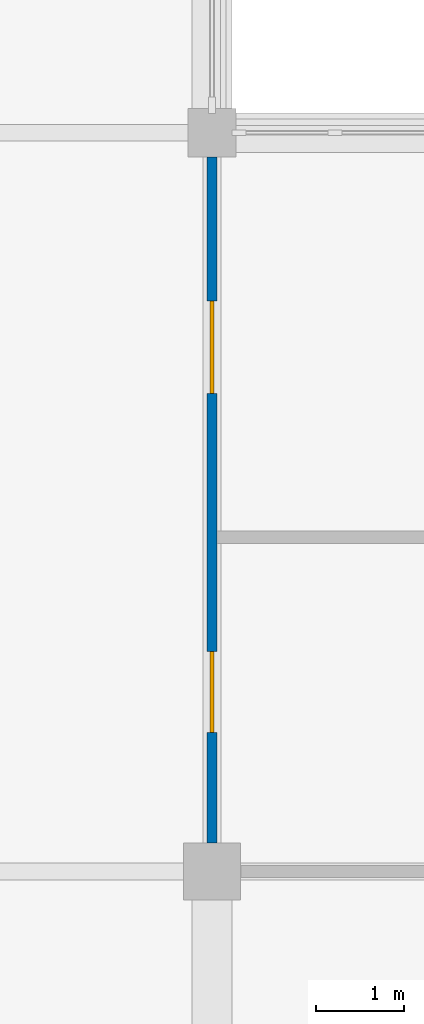
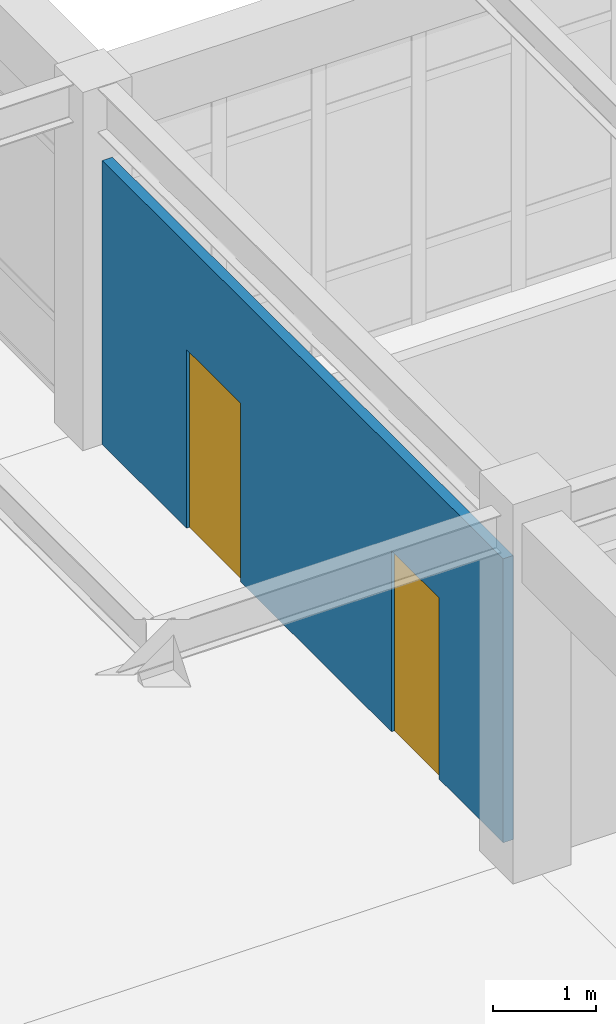
# One storey, part 64 of 78: 2 doors, 1 wall, 2 openings.
"""IFC4 building model written with IfcOpenShell, lengths in metres."""

import ifcopenshell
import ifcopenshell.guid

model = None  # the IFC model being written
_history = None  # IfcOwnerHistory: only IFC2X3 demands one
_inside = {}  # id of a spatial element -> (the spatial element, [elements in it])
_under = {}  # id of a project, library or spatial element -> (it, [spatial elements below it])
_declared = {}  # id of a project -> (the project, [libraries it declares])
_typed = {}  # id of a type object -> (the type object, [elements of that type])
_made_of = {}  # id of a material, layer set ... -> (it, [elements and type objects made of it])


def new_model(schema):
    """Start an empty IFC model of exactly this schema.

    Asked for "IFC4X3", IfcOpenShell would pick the latest addendum, in which some entities
    have other attributes; the version numbers below select the first issue.
    IFC2X3 requires an IfcOwnerHistory on every rooted entity: one is made here for all.
    """
    global model, _history
    if schema == "IFC4X3":
        model = ifcopenshell.file(schema_version=(4, 3, 0, 0))
    else:
        model = ifcopenshell.file(schema=schema)
    _inside.clear()
    _under.clear()
    _declared.clear()
    _typed.clear()
    _made_of.clear()
    _history = None
    if model.schema == "IFC2X3":
        org = make("IfcOrganization", Name="unknown")
        user = make(
            "IfcPersonAndOrganization",
            ThePerson=make("IfcPerson", FamilyName="unknown"),
            TheOrganization=org,
        )
        app = make(
            "IfcApplication",
            ApplicationDeveloper=org,
            Version="unknown",
            ApplicationFullName="unknown",
            ApplicationIdentifier="unknown",
        )
        _history = make(
            "IfcOwnerHistory",
            OwningUser=user,
            OwningApplication=app,
            ChangeAction="ADDED",
            CreationDate=0,
        )
    return model


def make(cls, **values):
    """One entity of the class cls with the attributes given. An attribute that is None is left unset."""
    return model.create_entity(
        cls, **{name: value for name, value in values.items() if value is not None}
    )


def rooted(cls, **values):
    """An entity with a GlobalId (a new one), such as an element, a storey or a relation."""
    return make(cls, GlobalId=ifcopenshell.guid.new(), OwnerHistory=_history, **values)


def si_unit(unit_type, name, prefix=None):
    """IfcSIUnit, for example si_unit("LENGTHUNIT", "METRE", prefix="MILLI")."""
    return make("IfcSIUnit", UnitType=unit_type, Prefix=prefix, Name=name)


def assignment(units):
    """IfcUnitAssignment: the units of a project."""
    return None if units is None else make("IfcUnitAssignment", Units=units)


def point(xyz):
    """IfcCartesianPoint."""
    return None if xyz is None else make("IfcCartesianPoint", Coordinates=xyz)


def direction(xyz):
    """IfcDirection."""
    return None if xyz is None else make("IfcDirection", DirectionRatios=xyz)


def frame(location, z_axis=None, x_axis=None):
    """IfcAxis2Placement3D, a coordinate frame: its origin and axes. An axis left out is left unset."""
    return make(
        "IfcAxis2Placement3D",
        Location=point(location),
        Axis=direction(z_axis),
        RefDirection=direction(x_axis),
    )


def frame_2d(location, x_axis=None):
    """IfcAxis2Placement2D, a coordinate frame in the plane: its origin and x axis."""
    return make(
        "IfcAxis2Placement2D", Location=point(location), RefDirection=direction(x_axis)
    )


def origin():
    """The frame at (0, 0, 0) with its axes left unset."""
    return frame((0.0, 0.0, 0.0))


def place(relative_to, where):
    """IfcLocalPlacement: puts the frame where relative to a parent placement (None: the world)."""
    return make(
        "IfcLocalPlacement", PlacementRelTo=relative_to, RelativePlacement=where
    )


def context(
    kind, dimensions, precision=None, world=None, true_north=None, identifier=None
):
    """IfcGeometricRepresentationContext, for example the 3D "Model" context."""
    return make(
        "IfcGeometricRepresentationContext",
        ContextIdentifier=identifier,
        ContextType=kind,
        CoordinateSpaceDimension=dimensions,
        Precision=precision,
        WorldCoordinateSystem=world,
        TrueNorth=true_north,
    )


def subcontext(parent, identifier, kind, view, scale=None):
    """IfcGeometricRepresentationSubContext, for example "Body" below "Model"."""
    return make(
        "IfcGeometricRepresentationSubContext",
        ContextIdentifier=identifier,
        ContextType=kind,
        ParentContext=parent,
        TargetScale=scale,
        TargetView=view,
    )


def project(units=None, contexts=None):
    """IfcProject with its units and contexts."""
    return rooted(
        "IfcProject",
        Name="project",
        RepresentationContexts=contexts,
        UnitsInContext=assignment(units),
    )


def spatial(cls, under=None, at=None, **own):
    """A site, building, storey or space (cls), placed at a placement, below another one or the project."""
    s = rooted(cls, ObjectPlacement=at, **own)
    if under is not None:
        _under.setdefault(under.id(), (under, []))[1].append(s)
    return s


def profile(cls, at=None, kind="AREA", **sizes):
    """A parametric profile (cls). Its sizes go by their IFC names, for example OverallWidth=200.0."""
    return make(cls, ProfileType=kind, Position=at, **sizes)


def rectangle(**sizes):
    """IfcRectangleProfileDef."""
    return profile("IfcRectangleProfileDef", **sizes)


def extrude(swept, where, along, depth):
    """IfcExtrudedAreaSolid: the profile swept, set in the frame where, extruded along a direction by depth."""
    return make(
        "IfcExtrudedAreaSolid",
        SweptArea=swept,
        Position=where,
        ExtrudedDirection=direction(along),
        Depth=depth,
    )


def shape(context_of_items, identifier, shape_type, items):
    """IfcShapeRepresentation: the items that make up one representation, for example the "Body"."""
    return make(
        "IfcShapeRepresentation",
        ContextOfItems=context_of_items,
        RepresentationIdentifier=identifier,
        RepresentationType=shape_type,
        Items=items,
    )


def material(Name=None, Category=None):
    """IfcMaterial."""
    return make("IfcMaterial", Name=Name, Category=Category)


def layer(
    of_material, thickness, ventilated=None, Name=None, Category=None, Priority=None
):
    """IfcMaterialLayer: one layer of a wall or slab, of a material (None: an air gap)."""
    return make(
        "IfcMaterialLayer",
        Material=of_material,
        LayerThickness=thickness,
        IsVentilated=ventilated,
        Name=Name,
        Category=Category,
        Priority=Priority,
    )


def layer_set(layers, Name=None):
    """IfcMaterialLayerSet."""
    return make("IfcMaterialLayerSet", MaterialLayers=layers, LayerSetName=Name)


def made_of(thing, what):
    """Note that an element or type object is made of a material, layer set ...; save() writes the relation."""
    if what is not None:
        _made_of.setdefault(what.id(), (what, []))[1].append(thing)
    return thing


def type_object(cls, material=None, **own):
    """A type object (cls), such as IfcWallType, which elements share."""
    return made_of(rooted(cls, **own), material)


def element(
    cls,
    number,
    at=None,
    inside=None,
    cuts=None,
    type_object=None,
    material=None,
    context=None,
    identifier="Body",
    shape_type=None,
    held_by="IfcProductDefinitionShape",
    body=None,
    shapes=None,
    **own,
):
    """One element of the class cls, such as IfcWall. Its Tag is "e" and its number.

    at: its placement. inside: the storey or other place that contains it. cuts: it is an
    opening in that element (IfcRelVoidsElement). A single representation is given by context,
    identifier, shape_type and body (its items); several are given by shapes. held_by: the class
    of the entity that holds the representations. save() writes the other relations.
    """
    e = rooted(cls, Tag="e%d" % number, ObjectPlacement=at, **own)
    if body is not None:
        shapes = [shape(context, identifier, shape_type, body)]
    if shapes is not None:
        e.Representation = make(held_by, Representations=shapes)
    if inside is not None:
        _inside.setdefault(inside.id(), (inside, []))[1].append(e)
    if cuts is not None:
        rooted(
            "IfcRelVoidsElement", RelatingBuildingElement=cuts, RelatedOpeningElement=e
        )
    if type_object is not None:
        _typed.setdefault(type_object.id(), (type_object, []))[1].append(e)
    return made_of(e, material)


def fill(opening, filler):
    """IfcRelFillsElement: the door or window that sits in an opening."""
    return rooted(
        "IfcRelFillsElement",
        RelatingOpeningElement=opening,
        RelatedBuildingElement=filler,
    )


def aggregate(whole, parts):
    """IfcRelAggregates: a whole, such as a stair, and the parts it consists of."""
    return rooted("IfcRelAggregates", RelatingObject=whole, RelatedObjects=parts)


def save(model, path):
    """Write the relations noted so far, then the file.

    IfcRelAggregates (storeys below a building ...), IfcRelContainedInSpatialStructure (elements
    in a storey), IfcRelDefinesByType, IfcRelAssociatesMaterial and IfcRelDeclares: one each for
    every whole, place, type object, material and project.
    """
    for whole, parts in _under.values():
        aggregate(whole, parts)
    for where, things in _inside.values():
        rooted(
            "IfcRelContainedInSpatialStructure",
            RelatedElements=things,
            RelatingStructure=where,
        )
    for kind, things in _typed.values():
        rooted("IfcRelDefinesByType", RelatedObjects=things, RelatingType=kind)
    for what, things in _made_of.values():
        rooted("IfcRelAssociatesMaterial", RelatedObjects=things, RelatingMaterial=what)
    for by, libraries in _declared.values():
        rooted("IfcRelDeclares", RelatingContext=by, RelatedDefinitions=libraries)
    model.write(path)


model = new_model("IFC4")

# Units and contexts
model_context = context("Model", 3, precision=1e-05, world=origin(), true_north=direction((0.0, 1.0)))
body_context = subcontext(model_context, "Body", "Model", "MODEL_VIEW")
ifc_project = project(units=[si_unit("LENGTHUNIT", "METRE"), si_unit("AREAUNIT", "SQUARE_METRE"), si_unit("VOLUMEUNIT", "CUBIC_METRE"), si_unit("PLANEANGLEUNIT", "RADIAN"), si_unit("MASSUNIT", "GRAM", prefix="KILO")], contexts=[model_context])

# Site, building, storey
site_placement = place(None, origin())
site = spatial("IfcSite", under=ifc_project, at=site_placement, CompositionType="ELEMENT")
building_placement = place(site_placement, origin())
building = spatial("IfcBuilding", under=site, at=building_placement, Name="Porcellanite Civic Hall", CompositionType="ELEMENT")
storey_placement = place(building_placement, frame((0.0, 0.0, 10.260009765625)))
storey = spatial("IfcBuildingStorey", under=building, at=storey_placement, Name="L02", CompositionType="ELEMENT", Elevation=10.260009765625)

# Wall, openings, doors
ifc_material_1 = material(Name="Insulated acoustic plasterboard on light-gauge steel studs", Category="steel")
ifc_layer = layer(ifc_material_1, 0.114990234375)
ifc_layer_set = layer_set([ifc_layer], Name="Insulated acoustic plasterboard on light-gauge steel studs")
wall_type = type_object("IfcWallType", Name="IW-PT115", PredefinedType="PARTITIONING", material=ifc_layer_set)
wall_placement = place(storey_placement, frame((126.0, 59.126953125, 0.0), z_axis=(0.0, 0.0, 1.0), x_axis=(0.0, 1.0, 0.0)))
wall = element("IfcWall", 1, at=wall_placement, inside=storey, type_object=wall_type, Name="Partition L02 V 15-8", PredefinedType="PARTITIONING", context=body_context, shape_type="SweptSolid", body=[
    extrude(rectangle(XDim=7.796142578125, YDim=0.114990234375, at=frame_2d((3.89794921875, 0.0))), origin(), (0.0, 0.0, 1.0), 3.369873046875),
])
opening_1_placement = place(wall_placement, frame((1.2529296875, 0.0, 0.0)))
opening_1 = element("IfcOpeningElement", 2, at=opening_1_placement, cuts=wall, Name="Opening D-L02-320", PredefinedType="OPENING", context=body_context, shape_type="SweptSolid", body=[
    extrude(rectangle(XDim=0.919921875, YDim=2.14990234375, at=frame_2d((0.4599609375, 1.074951171875))), frame((0.0, 0.0576171875, 0.0), z_axis=(0.0, -1.0, 0.0), x_axis=(1.0, 0.0, 0.0)), (0.0, 0.0, 1.0), 0.114990234375),
])
opening_2_placement = place(wall_placement, frame((5.10791015625, 0.0, 0.0)))
opening_2 = element("IfcOpeningElement", 3, at=opening_2_placement, cuts=wall, Name="Opening D-L02-321", PredefinedType="OPENING", context=body_context, shape_type="SweptSolid", body=[
    extrude(rectangle(XDim=1.050048828125, YDim=2.1201171875, at=frame_2d((0.52490234375, 1.06005859375))), frame((0.0, 0.0576171875, 0.0), z_axis=(0.0, -1.0, 0.0), x_axis=(1.0, 0.0, 0.0)), (0.0, 0.0, 1.0), 0.114990234375),
])
ifc_material_2 = material(Name="Solid-core spotted-gum timber", Category="wood")
door_type_1 = type_object("IfcDoorType", Name="DR-RM092", OperationType="NOTDEFINED", PredefinedType="DOOR", material=ifc_material_2)
door_1_placement = place(opening_1_placement, origin())
door_1 = element("IfcDoor", 4, at=door_1_placement, inside=storey, type_object=door_type_1, Name="Interior door D-L02-320", OperationType="SINGLE_SWING_RIGHT", OverallHeight=2.14990234375, OverallWidth=0.919921875, PredefinedType="DOOR", context=body_context, shape_type="SweptSolid", body=[
    extrude(rectangle(XDim=0.919921875, YDim=2.14990234375, at=frame_2d((0.4599609375, 1.074951171875))), frame((0.0, 0.02490234375, 0.0), z_axis=(0.0, -1.0, 0.0), x_axis=(1.0, 0.0, 0.0)), (0.0, 0.0, 1.0), 0.050048828125),
])
fill(opening_1, door_1)
ifc_material_3 = material(Name="Solid-core spotted-gum timber", Category="wood")
door_type_2 = type_object("IfcDoorType", Name="DR-RM105", OperationType="NOTDEFINED", PredefinedType="DOOR", material=ifc_material_3)
door_2_placement = place(opening_2_placement, origin())
door_2 = element("IfcDoor", 5, at=door_2_placement, inside=storey, type_object=door_type_2, Name="Interior door D-L02-321", OperationType="SINGLE_SWING_LEFT", OverallHeight=2.1201171875, OverallWidth=1.050048828125, PredefinedType="DOOR", context=body_context, shape_type="SweptSolid", body=[
    extrude(rectangle(XDim=1.050048828125, YDim=2.1201171875, at=frame_2d((0.52490234375, 1.06005859375))), frame((0.0, 0.02490234375, 0.0), z_axis=(0.0, -1.0, 0.0), x_axis=(1.0, 0.0, 0.0)), (0.0, 0.0, 1.0), 0.050048828125),
])
fill(opening_2, door_2)

save(model, "model.ifc")
